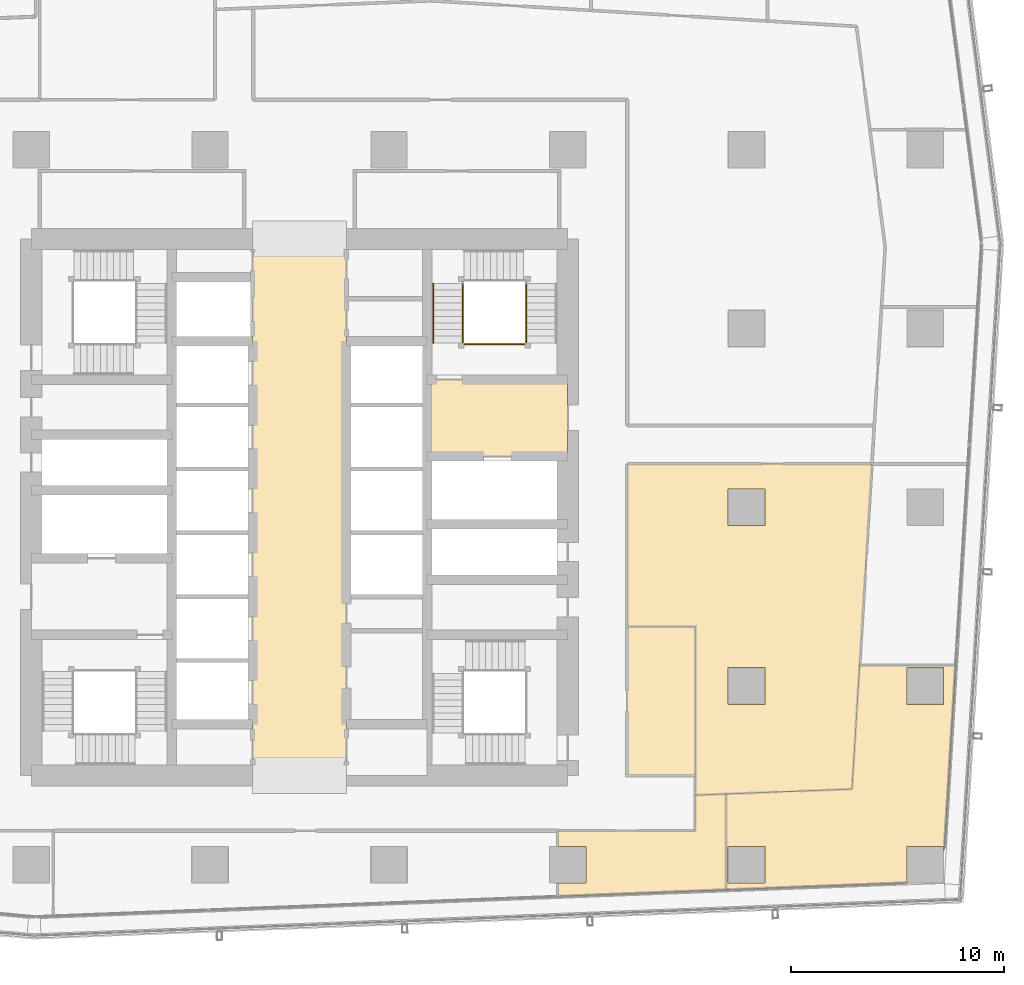
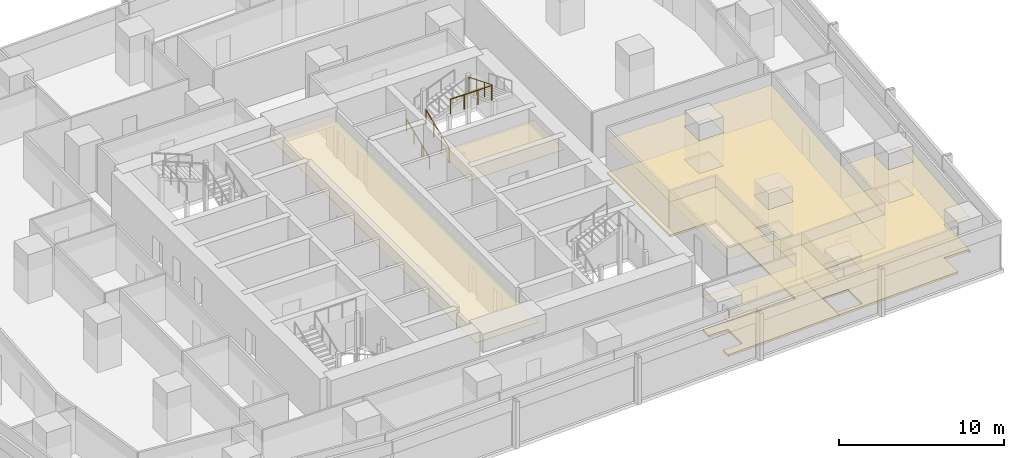
# One storey, part 38 of 40: 9 coverings, 4 railings.
"""IFC4 building model written with IfcOpenShell, lengths in metres."""

import ifcopenshell
import ifcopenshell.guid

model = None  # the IFC model being written
_history = None  # IfcOwnerHistory: only IFC2X3 demands one
_inside = {}  # id of a spatial element -> (the spatial element, [elements in it])
_under = {}  # id of a project, library or spatial element -> (it, [spatial elements below it])
_declared = {}  # id of a project -> (the project, [libraries it declares])
_typed = {}  # id of a type object -> (the type object, [elements of that type])
_made_of = {}  # id of a material, layer set ... -> (it, [elements and type objects made of it])


def new_model(schema):
    """Start an empty IFC model of exactly this schema.

    Asked for "IFC4X3", IfcOpenShell would pick the latest addendum, in which some entities
    have other attributes; the version numbers below select the first issue.
    IFC2X3 requires an IfcOwnerHistory on every rooted entity: one is made here for all.
    """
    global model, _history
    if schema == "IFC4X3":
        model = ifcopenshell.file(schema_version=(4, 3, 0, 0))
    else:
        model = ifcopenshell.file(schema=schema)
    _inside.clear()
    _under.clear()
    _declared.clear()
    _typed.clear()
    _made_of.clear()
    _history = None
    if model.schema == "IFC2X3":
        org = make("IfcOrganization", Name="unknown")
        user = make(
            "IfcPersonAndOrganization",
            ThePerson=make("IfcPerson", FamilyName="unknown"),
            TheOrganization=org,
        )
        app = make(
            "IfcApplication",
            ApplicationDeveloper=org,
            Version="unknown",
            ApplicationFullName="unknown",
            ApplicationIdentifier="unknown",
        )
        _history = make(
            "IfcOwnerHistory",
            OwningUser=user,
            OwningApplication=app,
            ChangeAction="ADDED",
            CreationDate=0,
        )
    return model


def make(cls, **values):
    """One entity of the class cls with the attributes given. An attribute that is None is left unset."""
    return model.create_entity(
        cls, **{name: value for name, value in values.items() if value is not None}
    )


def rooted(cls, **values):
    """An entity with a GlobalId (a new one), such as an element, a storey or a relation."""
    return make(cls, GlobalId=ifcopenshell.guid.new(), OwnerHistory=_history, **values)


def si_unit(unit_type, name, prefix=None):
    """IfcSIUnit, for example si_unit("LENGTHUNIT", "METRE", prefix="MILLI")."""
    return make("IfcSIUnit", UnitType=unit_type, Prefix=prefix, Name=name)


def assignment(units):
    """IfcUnitAssignment: the units of a project."""
    return None if units is None else make("IfcUnitAssignment", Units=units)


def point(xyz):
    """IfcCartesianPoint."""
    return None if xyz is None else make("IfcCartesianPoint", Coordinates=xyz)


def direction(xyz):
    """IfcDirection."""
    return None if xyz is None else make("IfcDirection", DirectionRatios=xyz)


def frame(location, z_axis=None, x_axis=None):
    """IfcAxis2Placement3D, a coordinate frame: its origin and axes. An axis left out is left unset."""
    return make(
        "IfcAxis2Placement3D",
        Location=point(location),
        Axis=direction(z_axis),
        RefDirection=direction(x_axis),
    )


def frame_2d(location, x_axis=None):
    """IfcAxis2Placement2D, a coordinate frame in the plane: its origin and x axis."""
    return make(
        "IfcAxis2Placement2D", Location=point(location), RefDirection=direction(x_axis)
    )


def origin():
    """The frame at (0, 0, 0) with its axes left unset."""
    return frame((0.0, 0.0, 0.0))


def origin_2d():
    """The frame at (0, 0) in the plane with its x axis left unset."""
    return frame_2d((0.0, 0.0))


def place(relative_to, where):
    """IfcLocalPlacement: puts the frame where relative to a parent placement (None: the world)."""
    return make(
        "IfcLocalPlacement", PlacementRelTo=relative_to, RelativePlacement=where
    )


def context(
    kind, dimensions, precision=None, world=None, true_north=None, identifier=None
):
    """IfcGeometricRepresentationContext, for example the 3D "Model" context."""
    return make(
        "IfcGeometricRepresentationContext",
        ContextIdentifier=identifier,
        ContextType=kind,
        CoordinateSpaceDimension=dimensions,
        Precision=precision,
        WorldCoordinateSystem=world,
        TrueNorth=true_north,
    )


def subcontext(parent, identifier, kind, view, scale=None):
    """IfcGeometricRepresentationSubContext, for example "Body" below "Model"."""
    return make(
        "IfcGeometricRepresentationSubContext",
        ContextIdentifier=identifier,
        ContextType=kind,
        ParentContext=parent,
        TargetScale=scale,
        TargetView=view,
    )


def project(units=None, contexts=None):
    """IfcProject with its units and contexts."""
    return rooted(
        "IfcProject",
        Name="project",
        RepresentationContexts=contexts,
        UnitsInContext=assignment(units),
    )


def spatial(cls, under=None, at=None, **own):
    """A site, building, storey or space (cls), placed at a placement, below another one or the project."""
    s = rooted(cls, ObjectPlacement=at, **own)
    if under is not None:
        _under.setdefault(under.id(), (under, []))[1].append(s)
    return s


def polyline(points):
    """IfcPolyline through the points."""
    return make("IfcPolyline", Points=[point(p) for p in points])


def profile(cls, at=None, kind="AREA", **sizes):
    """A parametric profile (cls). Its sizes go by their IFC names, for example OverallWidth=200.0."""
    return make(cls, ProfileType=kind, Position=at, **sizes)


def circle(**sizes):
    """IfcCircleProfileDef."""
    return profile("IfcCircleProfileDef", **sizes)


def outline(outer, holes=None, kind="AREA"):
    """IfcArbitraryClosedProfileDef: a profile drawn as a closed curve; with holes, ...WithVoids."""
    if holes is None:
        return make("IfcArbitraryClosedProfileDef", ProfileType=kind, OuterCurve=outer)
    return make(
        "IfcArbitraryProfileDefWithVoids",
        ProfileType=kind,
        OuterCurve=outer,
        InnerCurves=holes,
    )


def extrude(swept, where, along, depth):
    """IfcExtrudedAreaSolid: the profile swept, set in the frame where, extruded along a direction by depth."""
    return make(
        "IfcExtrudedAreaSolid",
        SweptArea=swept,
        Position=where,
        ExtrudedDirection=direction(along),
        Depth=depth,
    )


def shape(context_of_items, identifier, shape_type, items):
    """IfcShapeRepresentation: the items that make up one representation, for example the "Body"."""
    return make(
        "IfcShapeRepresentation",
        ContextOfItems=context_of_items,
        RepresentationIdentifier=identifier,
        RepresentationType=shape_type,
        Items=items,
    )


def material(Name=None, Category=None):
    """IfcMaterial."""
    return make("IfcMaterial", Name=Name, Category=Category)


def layer(
    of_material, thickness, ventilated=None, Name=None, Category=None, Priority=None
):
    """IfcMaterialLayer: one layer of a wall or slab, of a material (None: an air gap)."""
    return make(
        "IfcMaterialLayer",
        Material=of_material,
        LayerThickness=thickness,
        IsVentilated=ventilated,
        Name=Name,
        Category=Category,
        Priority=Priority,
    )


def layer_set(layers, Name=None):
    """IfcMaterialLayerSet."""
    return make("IfcMaterialLayerSet", MaterialLayers=layers, LayerSetName=Name)


def made_of(thing, what):
    """Note that an element or type object is made of a material, layer set ...; save() writes the relation."""
    if what is not None:
        _made_of.setdefault(what.id(), (what, []))[1].append(thing)
    return thing


def type_object(cls, material=None, **own):
    """A type object (cls), such as IfcWallType, which elements share."""
    return made_of(rooted(cls, **own), material)


def element(
    cls,
    number,
    at=None,
    inside=None,
    cuts=None,
    type_object=None,
    material=None,
    context=None,
    identifier="Body",
    shape_type=None,
    held_by="IfcProductDefinitionShape",
    body=None,
    shapes=None,
    **own,
):
    """One element of the class cls, such as IfcWall. Its Tag is "e" and its number.

    at: its placement. inside: the storey or other place that contains it. cuts: it is an
    opening in that element (IfcRelVoidsElement). A single representation is given by context,
    identifier, shape_type and body (its items); several are given by shapes. held_by: the class
    of the entity that holds the representations. save() writes the other relations.
    """
    e = rooted(cls, Tag="e%d" % number, ObjectPlacement=at, **own)
    if body is not None:
        shapes = [shape(context, identifier, shape_type, body)]
    if shapes is not None:
        e.Representation = make(held_by, Representations=shapes)
    if inside is not None:
        _inside.setdefault(inside.id(), (inside, []))[1].append(e)
    if cuts is not None:
        rooted(
            "IfcRelVoidsElement", RelatingBuildingElement=cuts, RelatedOpeningElement=e
        )
    if type_object is not None:
        _typed.setdefault(type_object.id(), (type_object, []))[1].append(e)
    return made_of(e, material)


def aggregate(whole, parts):
    """IfcRelAggregates: a whole, such as a stair, and the parts it consists of."""
    return rooted("IfcRelAggregates", RelatingObject=whole, RelatedObjects=parts)


def save(model, path):
    """Write the relations noted so far, then the file.

    IfcRelAggregates (storeys below a building ...), IfcRelContainedInSpatialStructure (elements
    in a storey), IfcRelDefinesByType, IfcRelAssociatesMaterial and IfcRelDeclares: one each for
    every whole, place, type object, material and project.
    """
    for whole, parts in _under.values():
        aggregate(whole, parts)
    for where, things in _inside.values():
        rooted(
            "IfcRelContainedInSpatialStructure",
            RelatedElements=things,
            RelatingStructure=where,
        )
    for kind, things in _typed.values():
        rooted("IfcRelDefinesByType", RelatedObjects=things, RelatingType=kind)
    for what, things in _made_of.values():
        rooted("IfcRelAssociatesMaterial", RelatedObjects=things, RelatingMaterial=what)
    for by, libraries in _declared.values():
        rooted("IfcRelDeclares", RelatingContext=by, RelatedDefinitions=libraries)
    model.write(path)


model = new_model("IFC4")

# Units and contexts
model_context = context("Model", 3, precision=1e-05, world=origin(), true_north=direction((0.0, 1.0)))
body_context = subcontext(model_context, "Body", "Model", "MODEL_VIEW")
ifc_project = project(units=[si_unit("LENGTHUNIT", "METRE"), si_unit("AREAUNIT", "SQUARE_METRE"), si_unit("VOLUMEUNIT", "CUBIC_METRE"), si_unit("PLANEANGLEUNIT", "RADIAN"), si_unit("MASSUNIT", "GRAM", prefix="KILO")], contexts=[model_context])

# Site, building, storey
site_placement = place(None, origin())
site = spatial("IfcSite", under=ifc_project, at=site_placement, CompositionType="ELEMENT")
building_placement = place(site_placement, origin())
building = spatial("IfcBuilding", under=site, at=building_placement, Name="Rekha Terrace Tower", CompositionType="ELEMENT")
storey_placement = place(building_placement, frame((0.0, 0.0, 110.300048828125)))
storey = spatial("IfcBuildingStorey", under=building, at=storey_placement, Name="L27", CompositionType="ELEMENT", Elevation=110.300048828125)

# Coverings
ifc_material_1 = material(Name="Mineral fibre tile in exposed grid", Category="finish")
ifc_layer_1 = layer(ifc_material_1, 0.02001953125)
ifc_layer_set_1 = layer_set([ifc_layer_1], Name="Mineral fibre tile in exposed grid")
covering_type_1 = type_object("IfcCoveringType", Name="CL1 600x1200 office grid ceiling", PredefinedType="CEILING", material=ifc_layer_set_1)
covering_1_placement = place(storey_placement, frame((0.0, 0.0, 2.579833984375)))
element("IfcCovering", 1, at=covering_1_placement, inside=storey, type_object=covering_type_1, Name="Ceiling L27-02", PredefinedType="CEILING", context=body_context, shape_type="SweptSolid", body=[
    extrude(outline(polyline([(56.39990234375, 20.073974609375), (56.39990234375, 18.39990234375), (49.93701171875, 18.39990234375), (49.93701171875, 17.6650390625), (51.264892578125, 17.6650390625), (51.264892578125, 15.93505859375), (49.93701171875, 15.93505859375), (49.93701171875, 15.319091796875), (57.8359375, 15.6259765625), (57.8359375, 20.1298828125), (56.39990234375, 20.073974609375)])), origin(), (0.0, 0.0, 1.0), 0.02001953125),
])
covering_2_placement = place(storey_placement, frame((0.0, 0.0, 2.579833984375)))
element("IfcCovering", 2, at=covering_2_placement, inside=storey, type_object=covering_type_1, Name="Ceiling L27-03", PredefinedType="CEILING", context=body_context, shape_type="SweptSolid", body=[
    extrude(outline(polyline([(64.114013671875, 26.166015625), (63.758056640625, 20.360107421875), (57.8369140625, 20.1298828125), (57.8369140625, 15.6259765625), (66.3349609375, 15.95703125), (66.3349609375, 17.6650390625), (68.06494140625, 17.6650390625), (68.06494140625, 17.48095703125), (68.090087890625, 17.47998046875), (68.623046875, 26.166015625), (64.114013671875, 26.166015625)]), holes=[polyline([(68.06494140625, 24.3349609375), (66.3349609375, 24.3349609375), (66.3349609375, 26.06494140625), (68.06494140625, 26.06494140625), (68.06494140625, 24.3349609375)]), polyline([(59.6650390625, 15.93505859375), (57.93505859375, 15.93505859375), (57.93505859375, 17.6650390625), (59.6650390625, 17.6650390625), (59.6650390625, 15.93505859375)])]), origin(), (0.0, 0.0, 1.0), 0.02001953125),
])
covering_3_placement = place(storey_placement, frame((0.0, 0.0, 2.579833984375)))
element("IfcCovering", 3, at=covering_3_placement, inside=storey, type_object=covering_type_1, Name="Ceiling L27-O1b", PredefinedType="CEILING", context=body_context, shape_type="SweptSolid", body=[
    extrude(outline(polyline([(56.39990234375, 20.073974609375), (57.8359375, 20.1298828125), (63.758056640625, 20.360107421875), (64.114013671875, 26.1669921875), (64.694091796875, 35.636962890625), (53.199951171875, 35.636962890625), (53.199951171875, 28.0), (56.39990234375, 28.0), (56.39990234375, 20.073974609375)]), holes=[polyline([(59.6650390625, 26.06494140625), (59.6650390625, 24.3349609375), (57.93505859375, 24.3349609375), (57.93505859375, 26.06494140625), (59.6650390625, 26.06494140625)]), polyline([(59.6650390625, 32.735107421875), (57.93505859375, 32.735107421875), (57.93505859375, 34.465087890625), (59.6650390625, 34.465087890625), (59.6650390625, 32.735107421875)])]), origin(), (0.0, 0.0, 1.0), 0.02001953125),
])
ifc_material_2 = material(Name="Fibre cement board", Category="finish")
ifc_layer_2 = layer(ifc_material_2, 0.014892578125)
ifc_layer_set_2 = layer_set([ifc_layer_2], Name="Fibre cement board")
covering_type_2 = type_object("IfcCoveringType", Name="CL2 moisture-resistant board ceiling", PredefinedType="CEILING", material=ifc_layer_set_2)
covering_4_placement = place(storey_placement, frame((0.0, 0.0, 2.5849609375)))
element("IfcCovering", 4, at=covering_4_placement, inside=storey, type_object=covering_type_2, Name="Ceiling L27-WCM2", PredefinedType="CEILING", context=body_context, shape_type="SweptSolid", body=[
    extrude(outline(polyline([(56.39990234375, 28.0), (53.199951171875, 28.0), (53.199951171875, 21.0), (56.39990234375, 21.0), (56.39990234375, 28.0)])), origin(), (0.0, 0.0, 1.0), 0.014892578125),
])
ifc_material_3 = material(Name="Powder-coated aluminium pan", Category="aluminium")
ifc_layer_3 = layer(ifc_material_3, 0.030029296875)
ifc_layer_set_3 = layer_set([ifc_layer_3], Name="Powder-coated aluminium pan")
covering_type_3 = type_object("IfcCoveringType", Name="CL3 300x1200 metal pan ceiling", PredefinedType="CEILING", material=ifc_layer_set_3)
covering_5_placement = place(storey_placement, frame((0.0, 0.0, 2.570068359375)))
element("IfcCovering", 5, at=covering_5_placement, inside=storey, type_object=covering_type_3, Name="Ceiling L27-LOBBY", PredefinedType="CEILING", context=body_context, shape_type="SweptSolid", body=[
    extrude(outline(polyline([(40.0, 46.199951171875), (35.60009765625, 46.199951171875), (35.60009765625, 21.0), (40.0, 21.0), (40.0, 46.199951171875)])), origin(), (0.0, 0.0, 1.0), 0.02978515625),
])
covering_6_placement = place(storey_placement, frame((0.0, 0.0, 2.570068359375)))
element("IfcCovering", 6, at=covering_6_placement, inside=storey, type_object=covering_type_3, Name="Ceiling L27-FLB2", PredefinedType="CEILING", context=body_context, shape_type="SweptSolid", body=[
    extrude(outline(polyline([(50.39990234375, 39.60009765625), (43.800048828125, 39.60009765625), (43.800048828125, 36.0), (50.39990234375, 36.0), (50.39990234375, 39.60009765625)])), origin(), (0.0, 0.0, 1.0), 0.02978515625),
])

# Railings
ifc_material_4 = material(Name="Stainless steel balustrade", Category="steel")
railing_type_1 = type_object("IfcRailingType", Name="GR1 1100 stair guard", PredefinedType="GUARDRAIL", material=ifc_material_4)
railing_1_placement = place(storey_placement, frame((45.465087890625, 41.324951171875, 0.125)))
element("IfcRailing", 7, at=railing_1_placement, inside=storey, type_object=railing_type_1, Name="Guard ST2 L27 flight 1", PredefinedType="GUARDRAIL", context=body_context, shape_type="SweptSolid", body=[
    extrude(circle(Radius=0.02392578125, at=origin_2d()), frame((0.0, 0.0, 1.076171875), z_axis=(0.0, 0.927443287984, 0.373963831907), x_axis=(-1.0, 0.0, 0.0)), (0.0, 0.0, 1.0), 3.00830078125),
    extrude(circle(Radius=0.02099609375, at=origin_2d()), origin(), (0.0, 0.0, 1.0), 1.052001953125),
    extrude(circle(Radius=0.02099609375, at=origin_2d()), frame((0.0, 0.929931640625, 0.375)), (0.0, 0.0, 1.0), 1.052001953125),
    extrude(circle(Radius=0.02099609375, at=origin_2d()), frame((0.0, 1.860107421875, 0.75)), (0.0, 0.0, 1.0), 1.052001953125),
    extrude(circle(Radius=0.02099609375, at=origin_2d()), frame((0.0, 2.7900390625, 1.125)), (0.0, 0.0, 1.0), 1.052001953125),
])
railing_2_placement = place(storey_placement, frame((48.4599609375, 44.114990234375, 2.625)))
element("IfcRailing", 8, at=railing_2_placement, inside=storey, type_object=railing_type_1, Name="Guard ST2 L27 flight 3", PredefinedType="GUARDRAIL", context=body_context, shape_type="SweptSolid", body=[
    extrude(circle(Radius=0.02392578125, at=origin_2d()), frame((0.0, 0.0, 1.076171875), z_axis=(0.0, -0.927443287984, 0.373963831907), x_axis=(1.0, 0.0, 0.0)), (0.0, 0.0, 1.0), 3.00830078125),
    extrude(circle(Radius=0.02099609375, at=origin_2d()), origin(), (0.0, 0.0, 1.0), 1.052001953125),
    extrude(circle(Radius=0.02099609375, at=origin_2d()), frame((0.0, -0.929931640625, 0.375)), (0.0, 0.0, 1.0), 1.052001953125),
    extrude(circle(Radius=0.02099609375, at=origin_2d()), frame((0.0, -1.860107421875, 0.75)), (0.0, 0.0, 1.0), 1.052001953125),
    extrude(circle(Radius=0.02099609375, at=origin_2d()), frame((0.0, -2.7900390625, 1.125)), (0.0, 0.0, 1.0), 1.052001953125),
])
railing_3_placement = place(storey_placement, frame((45.52490234375, 41.264892578125, 3.75)))
element("IfcRailing", 9, at=railing_3_placement, inside=storey, type_object=railing_type_1, Name="Guard ST2 L27 landing 4", PredefinedType="GUARDRAIL", context=body_context, shape_type="SweptSolid", body=[
    extrude(circle(Radius=0.02392578125, at=origin_2d()), frame((0.0, 0.0, 1.076171875), z_axis=(1.0, 0.0, 0.0), x_axis=(0.0, 1.0, 0.0)), (0.0, 0.0, 1.0), 2.875),
    extrude(circle(Radius=0.02099609375, at=origin_2d()), origin(), (0.0, 0.0, 1.0), 1.052001953125),
    extrude(circle(Radius=0.02099609375, at=origin_2d()), frame((0.958251953125, 0.0, 0.0)), (0.0, 0.0, 1.0), 1.052001953125),
    extrude(circle(Radius=0.02099609375, at=origin_2d()), frame((1.916748046875, 0.0, 0.0)), (0.0, 0.0, 1.0), 1.052001953125),
    extrude(circle(Radius=0.02099609375, at=origin_2d()), frame((2.875, 0.0, 0.0)), (0.0, 0.0, 1.0), 1.052001953125),
])
ifc_material_5 = material(Name="Stainless steel tube", Category="steel")
railing_type_2 = type_object("IfcRailingType", Name="HR1 900 stair handrail", PredefinedType="HANDRAIL", material=ifc_material_5)
railing_4_placement = place(storey_placement, frame((44.0849609375, 41.324951171875, 0.125)))
element("IfcRailing", 10, at=railing_4_placement, inside=storey, type_object=railing_type_2, Name="Handrail ST2 L27 flight 1", PredefinedType="HANDRAIL", context=body_context, shape_type="SweptSolid", body=[
    extrude(circle(Radius=0.02392578125, at=origin_2d()), frame((0.0, 0.0, 0.8759765625), z_axis=(0.0, 0.927443287984, 0.373963831907), x_axis=(-1.0, 0.0, 0.0)), (0.0, 0.0, 1.0), 3.00830078125),
    extrude(circle(Radius=0.02099609375, at=origin_2d()), origin(), (0.0, 0.0, 1.0), 0.851806640625),
    extrude(circle(Radius=0.02099609375, at=origin_2d()), frame((0.0, 0.929931640625, 0.375)), (0.0, 0.0, 1.0), 0.851806640625),
    extrude(circle(Radius=0.02099609375, at=origin_2d()), frame((0.0, 1.860107421875, 0.75)), (0.0, 0.0, 1.0), 0.851806640625),
    extrude(circle(Radius=0.02099609375, at=origin_2d()), frame((0.0, 2.7900390625, 1.125)), (0.0, 0.0, 1.0), 0.851806640625),
])

# Coverings
ifc_material_6 = material(Name="Calcium sulphate panels on steel pedestals", Category="steel")
ifc_layer_4 = layer(ifc_material_6, 0.14990234375)
ifc_layer_set_4 = layer_set([ifc_layer_4], Name="Calcium sulphate panels on steel pedestals")
covering_type_4 = type_object("IfcCoveringType", Name="RF1 150 raised access floor", PredefinedType="FLOORING", material=ifc_layer_set_4)
covering_7_placement = place(storey_placement, origin())
element("IfcCovering", 11, at=covering_7_placement, inside=storey, type_object=covering_type_4, Name="Raised floor L27-02", PredefinedType="FLOORING", context=body_context, shape_type="SweptSolid", body=[
    extrude(outline(polyline([(56.39990234375, 20.073974609375), (56.39990234375, 18.39990234375), (49.93701171875, 18.39990234375), (49.93701171875, 17.6650390625), (51.264892578125, 17.6650390625), (51.264892578125, 15.93505859375), (49.93701171875, 15.93505859375), (49.93701171875, 15.319091796875), (57.8359375, 15.6259765625), (57.8359375, 20.1298828125), (56.39990234375, 20.073974609375)])), origin(), (0.0, 0.0, 1.0), 0.14990234375),
])
covering_8_placement = place(storey_placement, origin())
element("IfcCovering", 12, at=covering_8_placement, inside=storey, type_object=covering_type_4, Name="Raised floor L27-03", PredefinedType="FLOORING", context=body_context, shape_type="SweptSolid", body=[
    extrude(outline(polyline([(64.114013671875, 26.166015625), (63.758056640625, 20.360107421875), (57.8369140625, 20.1298828125), (57.8369140625, 15.6259765625), (66.3349609375, 15.95703125), (66.3349609375, 17.6650390625), (68.06494140625, 17.6650390625), (68.06494140625, 17.48095703125), (68.090087890625, 17.47998046875), (68.623046875, 26.166015625), (64.114013671875, 26.166015625)]), holes=[polyline([(68.06494140625, 24.3349609375), (66.3349609375, 24.3349609375), (66.3349609375, 26.06494140625), (68.06494140625, 26.06494140625), (68.06494140625, 24.3349609375)]), polyline([(59.6650390625, 15.93505859375), (57.93505859375, 15.93505859375), (57.93505859375, 17.6650390625), (59.6650390625, 17.6650390625), (59.6650390625, 15.93505859375)])]), origin(), (0.0, 0.0, 1.0), 0.14990234375),
])
covering_9_placement = place(storey_placement, origin())
element("IfcCovering", 13, at=covering_9_placement, inside=storey, type_object=covering_type_4, Name="Raised floor L27-O1b", PredefinedType="FLOORING", context=body_context, shape_type="SweptSolid", body=[
    extrude(outline(polyline([(56.39990234375, 20.073974609375), (57.8359375, 20.1298828125), (63.758056640625, 20.360107421875), (64.114013671875, 26.1669921875), (64.694091796875, 35.636962890625), (53.199951171875, 35.636962890625), (53.199951171875, 28.0), (56.39990234375, 28.0), (56.39990234375, 20.073974609375)]), holes=[polyline([(59.6650390625, 26.06494140625), (59.6650390625, 24.3349609375), (57.93505859375, 24.3349609375), (57.93505859375, 26.06494140625), (59.6650390625, 26.06494140625)]), polyline([(59.6650390625, 32.735107421875), (57.93505859375, 32.735107421875), (57.93505859375, 34.465087890625), (59.6650390625, 34.465087890625), (59.6650390625, 32.735107421875)])]), origin(), (0.0, 0.0, 1.0), 0.14990234375),
])

save(model, "model.ifc")
